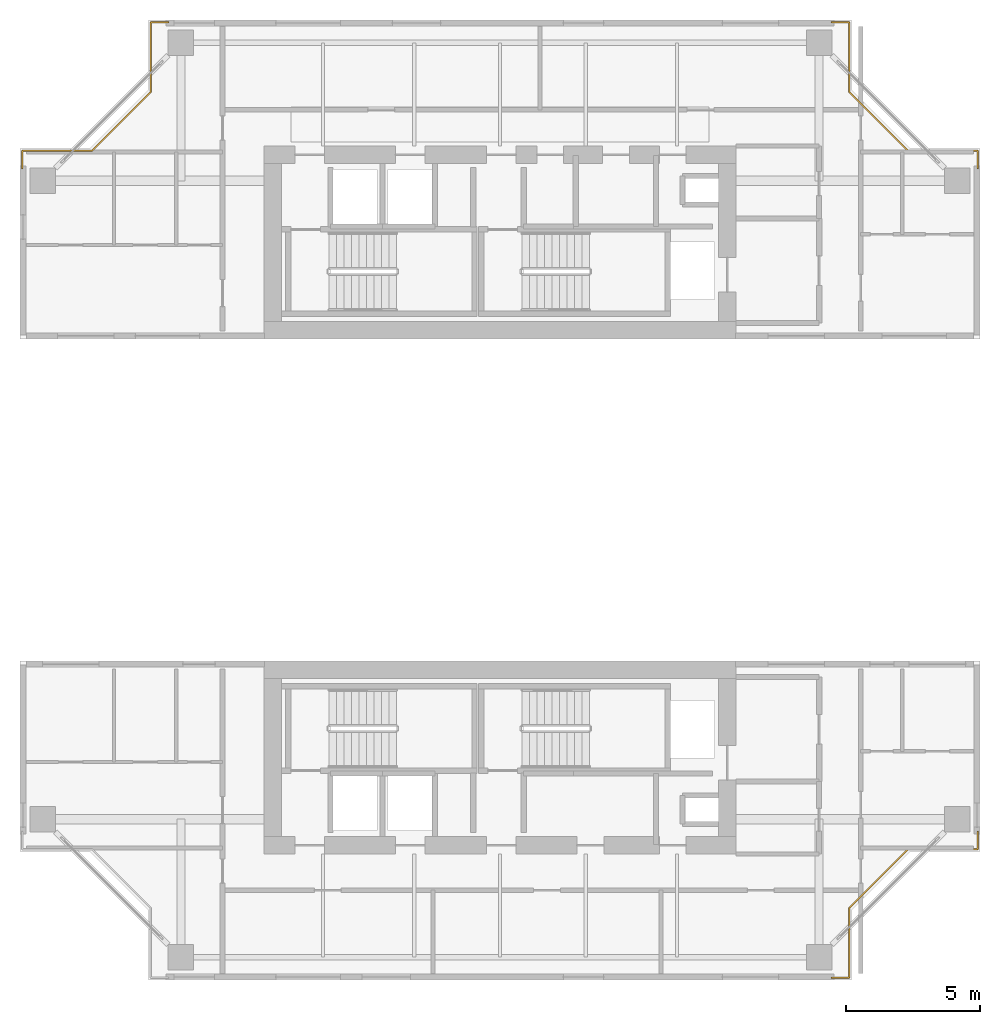
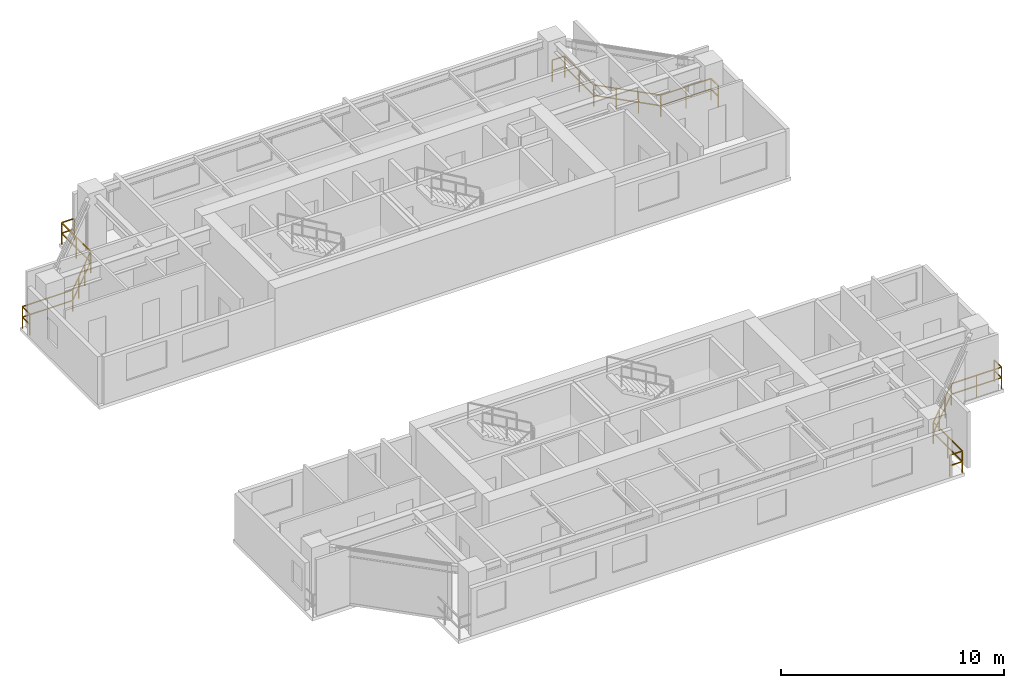
# One storey, part 12 of 12: 3 railings.
"""IFC4 building model written with IfcOpenShell, lengths in metres."""

from ifc_helpers import new_model, si_unit, direction, frame, origin, origin_2d, place, context, subcontext, project, spatial, rectangle, extrude, material, type_object, element, save


model = new_model("IFC4")

# Units and contexts
model_context = context("Model", 3, precision=1e-05, world=origin(), true_north=direction((0.0, 1.0)))
body_context = subcontext(model_context, "Body", "Model", "MODEL_VIEW")
ifc_project = project(units=[si_unit("LENGTHUNIT", "METRE"), si_unit("AREAUNIT", "SQUARE_METRE"), si_unit("VOLUMEUNIT", "CUBIC_METRE"), si_unit("PLANEANGLEUNIT", "RADIAN"), si_unit("MASSUNIT", "GRAM", prefix="KILO"), si_unit("THERMODYNAMICTEMPERATUREUNIT", "KELVIN"), si_unit("POWERUNIT", "WATT")], contexts=[model_context])

# Site, building, storey
site_placement = place(None, origin())
site = spatial("IfcSite", under=ifc_project, at=site_placement, CompositionType="ELEMENT")
building_placement = place(site_placement, origin())
building = spatial("IfcBuilding", under=site, at=building_placement, Name="Qiaomeng Ring Towers", CompositionType="ELEMENT")
storey_placement = place(building_placement, frame((0.0, 0.0, 156.75)))
storey = spatial("IfcBuildingStorey", under=building, at=storey_placement, Name="L45", CompositionType="ELEMENT", Elevation=156.75)

# Railings
ifc_material = material(Name="Low-E pale-green laminated safety glass", Category="glass")
railing_type = type_object("IfcRailingType", Name="ARC-RL-BAL1", PredefinedType="BALUSTRADE", material=ifc_material)
railing_1_placement = place(storey_placement, frame((31.3701171875, 5.179931640625, 0.0)))
element("IfcRailing", 1, at=railing_1_placement, inside=storey, type_object=railing_type, Name="L45 Balustrade ARC-BAL-NOTCH1-L45-SE", PredefinedType="BALUSTRADE", context=body_context, shape_type="SweptSolid", body=[
    extrude(rectangle(XDim=0.048095703125, YDim=0.048095703125, at=origin_2d()), frame((0.0, 0.0, 1.17578125), z_axis=(1.0, 0.0, 0.0), x_axis=(0.0, 1.0, 0.0)), (0.0, 0.0, 1.0), 0.64990234375),
    extrude(rectangle(XDim=0.048095703125, YDim=0.048095703125, at=origin_2d()), frame((0.0, 0.0, 0.60009765625), z_axis=(1.0, 0.0, 0.0), x_axis=(0.0, 1.0, 0.0)), (0.0, 0.0, 1.0), 0.64990234375),
    extrude(rectangle(XDim=0.048095703125, YDim=0.048095703125, at=origin_2d()), frame((0.64990234375, 0.0, 1.17578125), z_axis=(0.0, 1.0, 0.0), x_axis=(-1.0, 0.0, 0.0)), (0.0, 0.0, 1.0), 2.60009765625),
    extrude(rectangle(XDim=0.048095703125, YDim=0.048095703125, at=origin_2d()), frame((0.64990234375, 0.0, 0.60009765625), z_axis=(0.0, 1.0, 0.0), x_axis=(-1.0, 0.0, 0.0)), (0.0, 0.0, 1.0), 2.60009765625),
    extrude(rectangle(XDim=0.048095703125, YDim=0.048095703125, at=origin_2d()), frame((0.64990234375, 2.60009765625, 1.17578125), z_axis=(0.707106781187, 0.707106781187, 0.0), x_axis=(-0.707106781187, 0.707106781187, 0.0)), (0.0, 0.0, 1.0), 3.111083984375),
    extrude(rectangle(XDim=0.048095703125, YDim=0.048095703125, at=origin_2d()), frame((0.64990234375, 2.60009765625, 0.60009765625), z_axis=(0.707106781187, 0.707106781187, 0.0), x_axis=(-0.707106781187, 0.707106781187, 0.0)), (0.0, 0.0, 1.0), 3.111083984375),
    extrude(rectangle(XDim=0.048095703125, YDim=0.048095703125, at=origin_2d()), frame((2.849853515625, 4.800048828125, 1.17578125), z_axis=(1.0, 0.0, 0.0), x_axis=(0.0, 1.0, 0.0)), (0.0, 0.0, 1.0), 2.60009765625),
    extrude(rectangle(XDim=0.048095703125, YDim=0.048095703125, at=origin_2d()), frame((2.849853515625, 4.800048828125, 0.60009765625), z_axis=(1.0, 0.0, 0.0), x_axis=(0.0, 1.0, 0.0)), (0.0, 0.0, 1.0), 2.60009765625),
    extrude(rectangle(XDim=0.048095703125, YDim=0.048095703125, at=origin_2d()), frame((5.449951171875, 4.800048828125, 1.17578125), z_axis=(0.0, 1.0, 0.0), x_axis=(-1.0, 0.0, 0.0)), (0.0, 0.0, 1.0), 0.64990234375),
    extrude(rectangle(XDim=0.048095703125, YDim=0.048095703125, at=origin_2d()), frame((5.449951171875, 4.800048828125, 0.60009765625), z_axis=(0.0, 1.0, 0.0), x_axis=(-1.0, 0.0, 0.0)), (0.0, 0.0, 1.0), 0.64990234375),
    extrude(rectangle(XDim=0.0419921875, YDim=0.0419921875, at=origin_2d()), origin(), (0.0, 0.0, 1.0), 1.15185546875),
    extrude(rectangle(XDim=0.0419921875, YDim=0.0419921875, at=origin_2d()), frame((0.64990234375, 0.0, 0.0)), (0.0, 0.0, 1.0), 1.15185546875),
    extrude(rectangle(XDim=0.0419921875, YDim=0.0419921875, at=origin_2d()), frame((0.64990234375, 1.300048828125, 0.0)), (0.0, 0.0, 1.0), 1.15185546875),
    extrude(rectangle(XDim=0.0419921875, YDim=0.0419921875, at=origin_2d()), frame((0.64990234375, 2.60009765625, 0.0)), (0.0, 0.0, 1.0), 1.15185546875),
    extrude(rectangle(XDim=0.0419921875, YDim=0.0419921875, at=origin_2d()), frame((1.38330078125, 3.33349609375, 0.0)), (0.0, 0.0, 1.0), 1.15185546875),
    extrude(rectangle(XDim=0.0419921875, YDim=0.0419921875, at=origin_2d()), frame((2.116455078125, 4.066650390625, 0.0)), (0.0, 0.0, 1.0), 1.15185546875),
    extrude(rectangle(XDim=0.0419921875, YDim=0.0419921875, at=origin_2d()), frame((2.849853515625, 4.800048828125, 0.0)), (0.0, 0.0, 1.0), 1.15185546875),
    extrude(rectangle(XDim=0.0419921875, YDim=0.0419921875, at=origin_2d()), frame((4.14990234375, 4.800048828125, 0.0)), (0.0, 0.0, 1.0), 1.15185546875),
    extrude(rectangle(XDim=0.0419921875, YDim=0.0419921875, at=origin_2d()), frame((5.449951171875, 4.800048828125, 0.0)), (0.0, 0.0, 1.0), 1.15185546875),
    extrude(rectangle(XDim=0.0419921875, YDim=0.0419921875, at=origin_2d()), frame((5.449951171875, 5.449951171875, 0.0)), (0.0, 0.0, 1.0), 1.15185546875),
])
railing_2_placement = place(storey_placement, frame((36.820068359375, 35.3701171875, 0.0)))
element("IfcRailing", 2, at=railing_2_placement, inside=storey, type_object=railing_type, Name="L45 Balustrade ARC-BAL-NOTCH1-L45-NE", PredefinedType="BALUSTRADE", context=body_context, shape_type="SweptSolid", body=[
    extrude(rectangle(XDim=0.048095703125, YDim=0.048095703125, at=origin_2d()), frame((0.0, 0.0, 1.17578125), z_axis=(0.0, 1.0, 0.0), x_axis=(-1.0, 0.0, 0.0)), (0.0, 0.0, 1.0), 0.64990234375),
    extrude(rectangle(XDim=0.048095703125, YDim=0.048095703125, at=origin_2d()), frame((0.0, 0.0, 0.60009765625), z_axis=(0.0, 1.0, 0.0), x_axis=(-1.0, 0.0, 0.0)), (0.0, 0.0, 1.0), 0.64990234375),
    extrude(rectangle(XDim=0.048095703125, YDim=0.048095703125, at=origin_2d()), frame((0.0, 0.64990234375, 1.17578125), z_axis=(-1.0, 0.0, 0.0), x_axis=(0.0, -1.0, 0.0)), (0.0, 0.0, 1.0), 2.60009765625),
    extrude(rectangle(XDim=0.048095703125, YDim=0.048095703125, at=origin_2d()), frame((0.0, 0.64990234375, 0.60009765625), z_axis=(-1.0, 0.0, 0.0), x_axis=(0.0, -1.0, 0.0)), (0.0, 0.0, 1.0), 2.60009765625),
    extrude(rectangle(XDim=0.048095703125, YDim=0.048095703125, at=origin_2d()), frame((-2.60009765625, 0.64990234375, 1.17578125), z_axis=(-0.707106781187, 0.707106781187, 0.0), x_axis=(-0.707106781187, -0.707106781187, 0.0)), (0.0, 0.0, 1.0), 3.111083984375),
    extrude(rectangle(XDim=0.048095703125, YDim=0.048095703125, at=origin_2d()), frame((-2.60009765625, 0.64990234375, 0.60009765625), z_axis=(-0.707106781187, 0.707106781187, 0.0), x_axis=(-0.707106781187, -0.707106781187, 0.0)), (0.0, 0.0, 1.0), 3.111083984375),
    extrude(rectangle(XDim=0.048095703125, YDim=0.048095703125, at=origin_2d()), frame((-4.800048828125, 2.849853515625, 1.17578125), z_axis=(0.0, 1.0, 0.0), x_axis=(-1.0, 0.0, 0.0)), (0.0, 0.0, 1.0), 2.60009765625),
    extrude(rectangle(XDim=0.048095703125, YDim=0.048095703125, at=origin_2d()), frame((-4.800048828125, 2.849853515625, 0.60009765625), z_axis=(0.0, 1.0, 0.0), x_axis=(-1.0, 0.0, 0.0)), (0.0, 0.0, 1.0), 2.60009765625),
    extrude(rectangle(XDim=0.048095703125, YDim=0.048095703125, at=origin_2d()), frame((-4.800048828125, 5.449951171875, 1.17578125), z_axis=(-1.0, 0.0, 0.0), x_axis=(0.0, -1.0, 0.0)), (0.0, 0.0, 1.0), 0.64990234375),
    extrude(rectangle(XDim=0.048095703125, YDim=0.048095703125, at=origin_2d()), frame((-4.800048828125, 5.449951171875, 0.60009765625), z_axis=(-1.0, 0.0, 0.0), x_axis=(0.0, -1.0, 0.0)), (0.0, 0.0, 1.0), 0.64990234375),
    extrude(rectangle(XDim=0.0419921875, YDim=0.0419921875, at=origin_2d()), origin(), (0.0, 0.0, 1.0), 1.15185546875),
    extrude(rectangle(XDim=0.0419921875, YDim=0.0419921875, at=origin_2d()), frame((0.0, 0.64990234375, 0.0)), (0.0, 0.0, 1.0), 1.15185546875),
    extrude(rectangle(XDim=0.0419921875, YDim=0.0419921875, at=origin_2d()), frame((-1.300048828125, 0.64990234375, 0.0)), (0.0, 0.0, 1.0), 1.15185546875),
    extrude(rectangle(XDim=0.0419921875, YDim=0.0419921875, at=origin_2d()), frame((-2.60009765625, 0.64990234375, 0.0)), (0.0, 0.0, 1.0), 1.15185546875),
    extrude(rectangle(XDim=0.0419921875, YDim=0.0419921875, at=origin_2d()), frame((-3.33349609375, 1.38330078125, 0.0)), (0.0, 0.0, 1.0), 1.15185546875),
    extrude(rectangle(XDim=0.0419921875, YDim=0.0419921875, at=origin_2d()), frame((-4.066650390625, 2.116455078125, 0.0)), (0.0, 0.0, 1.0), 1.15185546875),
    extrude(rectangle(XDim=0.0419921875, YDim=0.0419921875, at=origin_2d()), frame((-4.800048828125, 2.849853515625, 0.0)), (0.0, 0.0, 1.0), 1.15185546875),
    extrude(rectangle(XDim=0.0419921875, YDim=0.0419921875, at=origin_2d()), frame((-4.800048828125, 4.14990234375, 0.0)), (0.0, 0.0, 1.0), 1.15185546875),
    extrude(rectangle(XDim=0.0419921875, YDim=0.0419921875, at=origin_2d()), frame((-4.800048828125, 5.449951171875, 0.0)), (0.0, 0.0, 1.0), 1.15185546875),
    extrude(rectangle(XDim=0.0419921875, YDim=0.0419921875, at=origin_2d()), frame((-5.449951171875, 5.449951171875, 0.0)), (0.0, 0.0, 1.0), 1.15185546875),
])
railing_3_placement = place(storey_placement, frame((6.6298828125, 40.820068359375, 0.0)))
element("IfcRailing", 3, at=railing_3_placement, inside=storey, type_object=railing_type, Name="L45 Balustrade ARC-BAL-NOTCH1-L45-NW", PredefinedType="BALUSTRADE", context=body_context, shape_type="SweptSolid", body=[
    extrude(rectangle(XDim=0.048095703125, YDim=0.048095703125, at=origin_2d()), frame((0.0, 0.0, 1.17578125), z_axis=(-1.0, 0.0, 0.0), x_axis=(0.0, -1.0, 0.0)), (0.0, 0.0, 1.0), 0.64990234375),
    extrude(rectangle(XDim=0.048095703125, YDim=0.048095703125, at=origin_2d()), frame((0.0, 0.0, 0.60009765625), z_axis=(-1.0, 0.0, 0.0), x_axis=(0.0, -1.0, 0.0)), (0.0, 0.0, 1.0), 0.64990234375),
    extrude(rectangle(XDim=0.048095703125, YDim=0.048095703125, at=origin_2d()), frame((-0.64990234375, 0.0, 1.17578125), z_axis=(0.0, -1.0, 0.0), x_axis=(1.0, 0.0, 0.0)), (0.0, 0.0, 1.0), 2.60009765625),
    extrude(rectangle(XDim=0.048095703125, YDim=0.048095703125, at=origin_2d()), frame((-0.64990234375, 0.0, 0.60009765625), z_axis=(0.0, -1.0, 0.0), x_axis=(1.0, 0.0, 0.0)), (0.0, 0.0, 1.0), 2.60009765625),
    extrude(rectangle(XDim=0.048095703125, YDim=0.048095703125, at=origin_2d()), frame((-0.64990234375, -2.60009765625, 1.17578125), z_axis=(-0.707106781187, -0.707106781187, 0.0), x_axis=(0.707106781187, -0.707106781187, 0.0)), (0.0, 0.0, 1.0), 3.111083984375),
    extrude(rectangle(XDim=0.048095703125, YDim=0.048095703125, at=origin_2d()), frame((-0.64990234375, -2.60009765625, 0.60009765625), z_axis=(-0.707106781187, -0.707106781187, 0.0), x_axis=(0.707106781187, -0.707106781187, 0.0)), (0.0, 0.0, 1.0), 3.111083984375),
    extrude(rectangle(XDim=0.048095703125, YDim=0.048095703125, at=origin_2d()), frame((-2.849853515625, -4.800048828125, 1.17578125), z_axis=(-1.0, 0.0, 0.0), x_axis=(0.0, -1.0, 0.0)), (0.0, 0.0, 1.0), 2.60009765625),
    extrude(rectangle(XDim=0.048095703125, YDim=0.048095703125, at=origin_2d()), frame((-2.849853515625, -4.800048828125, 0.60009765625), z_axis=(-1.0, 0.0, 0.0), x_axis=(0.0, -1.0, 0.0)), (0.0, 0.0, 1.0), 2.60009765625),
    extrude(rectangle(XDim=0.048095703125, YDim=0.048095703125, at=origin_2d()), frame((-5.449951171875, -4.800048828125, 1.17578125), z_axis=(0.0, -1.0, 0.0), x_axis=(1.0, 0.0, 0.0)), (0.0, 0.0, 1.0), 0.64990234375),
    extrude(rectangle(XDim=0.048095703125, YDim=0.048095703125, at=origin_2d()), frame((-5.449951171875, -4.800048828125, 0.60009765625), z_axis=(0.0, -1.0, 0.0), x_axis=(1.0, 0.0, 0.0)), (0.0, 0.0, 1.0), 0.64990234375),
    extrude(rectangle(XDim=0.0419921875, YDim=0.0419921875, at=origin_2d()), origin(), (0.0, 0.0, 1.0), 1.15185546875),
    extrude(rectangle(XDim=0.0419921875, YDim=0.0419921875, at=origin_2d()), frame((-0.64990234375, 0.0, 0.0)), (0.0, 0.0, 1.0), 1.15185546875),
    extrude(rectangle(XDim=0.0419921875, YDim=0.0419921875, at=origin_2d()), frame((-0.64990234375, -1.300048828125, 0.0)), (0.0, 0.0, 1.0), 1.15185546875),
    extrude(rectangle(XDim=0.0419921875, YDim=0.0419921875, at=origin_2d()), frame((-0.64990234375, -2.60009765625, 0.0)), (0.0, 0.0, 1.0), 1.15185546875),
    extrude(rectangle(XDim=0.0419921875, YDim=0.0419921875, at=origin_2d()), frame((-1.38330078125, -3.33349609375, 0.0)), (0.0, 0.0, 1.0), 1.15185546875),
    extrude(rectangle(XDim=0.0419921875, YDim=0.0419921875, at=origin_2d()), frame((-2.116455078125, -4.066650390625, 0.0)), (0.0, 0.0, 1.0), 1.15185546875),
    extrude(rectangle(XDim=0.0419921875, YDim=0.0419921875, at=origin_2d()), frame((-2.849853515625, -4.800048828125, 0.0)), (0.0, 0.0, 1.0), 1.15185546875),
    extrude(rectangle(XDim=0.0419921875, YDim=0.0419921875, at=origin_2d()), frame((-4.14990234375, -4.800048828125, 0.0)), (0.0, 0.0, 1.0), 1.15185546875),
    extrude(rectangle(XDim=0.0419921875, YDim=0.0419921875, at=origin_2d()), frame((-5.449951171875, -4.800048828125, 0.0)), (0.0, 0.0, 1.0), 1.15185546875),
    extrude(rectangle(XDim=0.0419921875, YDim=0.0419921875, at=origin_2d()), frame((-5.449951171875, -5.449951171875, 0.0)), (0.0, 0.0, 1.0), 1.15185546875),
])

save(model, "model.ifc")
